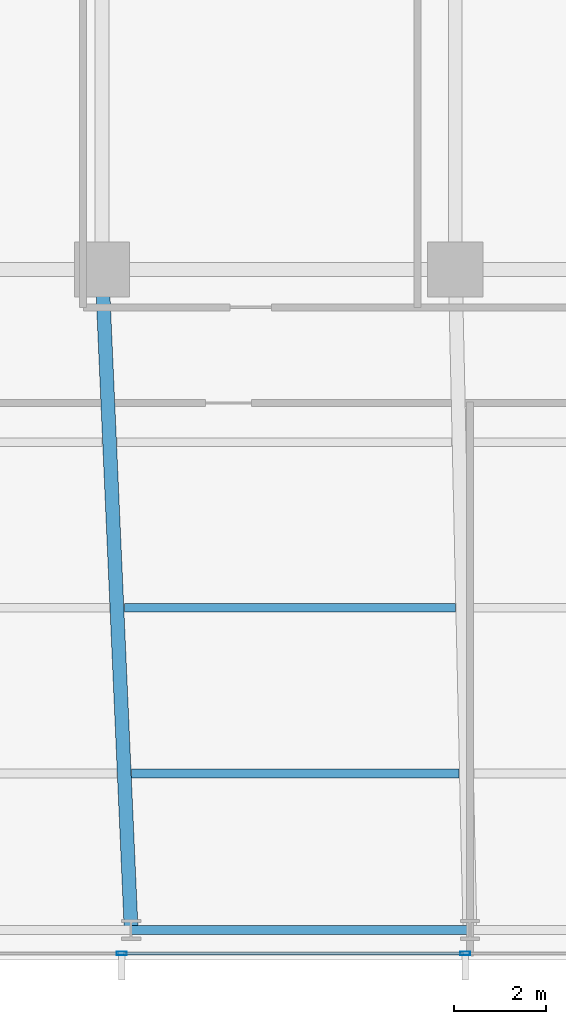
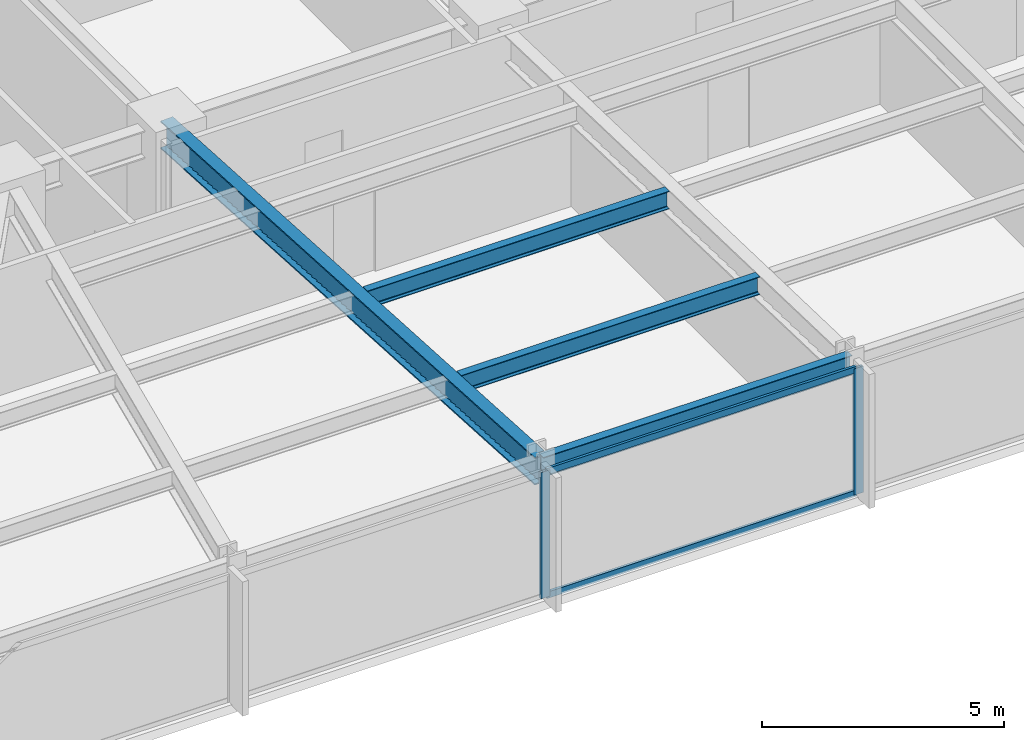
# One storey, part 5 of 33: 4 beams, 4 members, 1 element without a shape of its own.
"""IFC4 building model written with IfcOpenShell, lengths in metres."""

import ifcopenshell
import ifcopenshell.guid

model = None  # the IFC model being written
_history = None  # IfcOwnerHistory: only IFC2X3 demands one
_inside = {}  # id of a spatial element -> (the spatial element, [elements in it])
_under = {}  # id of a project, library or spatial element -> (it, [spatial elements below it])
_declared = {}  # id of a project -> (the project, [libraries it declares])
_typed = {}  # id of a type object -> (the type object, [elements of that type])
_made_of = {}  # id of a material, layer set ... -> (it, [elements and type objects made of it])


def new_model(schema):
    """Start an empty IFC model of exactly this schema.

    Asked for "IFC4X3", IfcOpenShell would pick the latest addendum, in which some entities
    have other attributes; the version numbers below select the first issue.
    IFC2X3 requires an IfcOwnerHistory on every rooted entity: one is made here for all.
    """
    global model, _history
    if schema == "IFC4X3":
        model = ifcopenshell.file(schema_version=(4, 3, 0, 0))
    else:
        model = ifcopenshell.file(schema=schema)
    _inside.clear()
    _under.clear()
    _declared.clear()
    _typed.clear()
    _made_of.clear()
    _history = None
    if model.schema == "IFC2X3":
        org = make("IfcOrganization", Name="unknown")
        user = make(
            "IfcPersonAndOrganization",
            ThePerson=make("IfcPerson", FamilyName="unknown"),
            TheOrganization=org,
        )
        app = make(
            "IfcApplication",
            ApplicationDeveloper=org,
            Version="unknown",
            ApplicationFullName="unknown",
            ApplicationIdentifier="unknown",
        )
        _history = make(
            "IfcOwnerHistory",
            OwningUser=user,
            OwningApplication=app,
            ChangeAction="ADDED",
            CreationDate=0,
        )
    return model


def make(cls, **values):
    """One entity of the class cls with the attributes given. An attribute that is None is left unset."""
    return model.create_entity(
        cls, **{name: value for name, value in values.items() if value is not None}
    )


def rooted(cls, **values):
    """An entity with a GlobalId (a new one), such as an element, a storey or a relation."""
    return make(cls, GlobalId=ifcopenshell.guid.new(), OwnerHistory=_history, **values)


def si_unit(unit_type, name, prefix=None):
    """IfcSIUnit, for example si_unit("LENGTHUNIT", "METRE", prefix="MILLI")."""
    return make("IfcSIUnit", UnitType=unit_type, Prefix=prefix, Name=name)


def assignment(units):
    """IfcUnitAssignment: the units of a project."""
    return None if units is None else make("IfcUnitAssignment", Units=units)


def point(xyz):
    """IfcCartesianPoint."""
    return None if xyz is None else make("IfcCartesianPoint", Coordinates=xyz)


def direction(xyz):
    """IfcDirection."""
    return None if xyz is None else make("IfcDirection", DirectionRatios=xyz)


def frame(location, z_axis=None, x_axis=None):
    """IfcAxis2Placement3D, a coordinate frame: its origin and axes. An axis left out is left unset."""
    return make(
        "IfcAxis2Placement3D",
        Location=point(location),
        Axis=direction(z_axis),
        RefDirection=direction(x_axis),
    )


def frame_2d(location, x_axis=None):
    """IfcAxis2Placement2D, a coordinate frame in the plane: its origin and x axis."""
    return make(
        "IfcAxis2Placement2D", Location=point(location), RefDirection=direction(x_axis)
    )


def origin():
    """The frame at (0, 0, 0) with its axes left unset."""
    return frame((0.0, 0.0, 0.0))


def origin_2d():
    """The frame at (0, 0) in the plane with its x axis left unset."""
    return frame_2d((0.0, 0.0))


def place(relative_to, where):
    """IfcLocalPlacement: puts the frame where relative to a parent placement (None: the world)."""
    return make(
        "IfcLocalPlacement", PlacementRelTo=relative_to, RelativePlacement=where
    )


def context(
    kind, dimensions, precision=None, world=None, true_north=None, identifier=None
):
    """IfcGeometricRepresentationContext, for example the 3D "Model" context."""
    return make(
        "IfcGeometricRepresentationContext",
        ContextIdentifier=identifier,
        ContextType=kind,
        CoordinateSpaceDimension=dimensions,
        Precision=precision,
        WorldCoordinateSystem=world,
        TrueNorth=true_north,
    )


def subcontext(parent, identifier, kind, view, scale=None):
    """IfcGeometricRepresentationSubContext, for example "Body" below "Model"."""
    return make(
        "IfcGeometricRepresentationSubContext",
        ContextIdentifier=identifier,
        ContextType=kind,
        ParentContext=parent,
        TargetScale=scale,
        TargetView=view,
    )


def project(units=None, contexts=None):
    """IfcProject with its units and contexts."""
    return rooted(
        "IfcProject",
        Name="project",
        RepresentationContexts=contexts,
        UnitsInContext=assignment(units),
    )


def spatial(cls, under=None, at=None, **own):
    """A site, building, storey or space (cls), placed at a placement, below another one or the project."""
    s = rooted(cls, ObjectPlacement=at, **own)
    if under is not None:
        _under.setdefault(under.id(), (under, []))[1].append(s)
    return s


def profile(cls, at=None, kind="AREA", **sizes):
    """A parametric profile (cls). Its sizes go by their IFC names, for example OverallWidth=200.0."""
    return make(cls, ProfileType=kind, Position=at, **sizes)


def hollow_rectangle(**sizes):
    """IfcRectangleHollowProfileDef."""
    return profile("IfcRectangleHollowProfileDef", **sizes)


def i_section(**sizes):
    """IfcIShapeProfileDef."""
    return profile("IfcIShapeProfileDef", **sizes)


def extrude(swept, where, along, depth):
    """IfcExtrudedAreaSolid: the profile swept, set in the frame where, extruded along a direction by depth."""
    return make(
        "IfcExtrudedAreaSolid",
        SweptArea=swept,
        Position=where,
        ExtrudedDirection=direction(along),
        Depth=depth,
    )


def shape(context_of_items, identifier, shape_type, items):
    """IfcShapeRepresentation: the items that make up one representation, for example the "Body"."""
    return make(
        "IfcShapeRepresentation",
        ContextOfItems=context_of_items,
        RepresentationIdentifier=identifier,
        RepresentationType=shape_type,
        Items=items,
    )


def material(Name=None, Category=None):
    """IfcMaterial."""
    return make("IfcMaterial", Name=Name, Category=Category)


def material_profile(
    of_material, cross_section, Name=None, Category=None, Priority=None
):
    """IfcMaterialProfile: a cross section and its material."""
    return make(
        "IfcMaterialProfile",
        Name=Name,
        Material=of_material,
        Profile=cross_section,
        Priority=Priority,
        Category=Category,
    )


def profile_set(profiles, Name=None, composite=None):
    """IfcMaterialProfileSet."""
    return make(
        "IfcMaterialProfileSet",
        Name=Name,
        MaterialProfiles=profiles,
        CompositeProfile=composite,
    )


def made_of(thing, what):
    """Note that an element or type object is made of a material, layer set ...; save() writes the relation."""
    if what is not None:
        _made_of.setdefault(what.id(), (what, []))[1].append(thing)
    return thing


def type_object(cls, material=None, **own):
    """A type object (cls), such as IfcWallType, which elements share."""
    return made_of(rooted(cls, **own), material)


def element(
    cls,
    number,
    at=None,
    inside=None,
    cuts=None,
    type_object=None,
    material=None,
    context=None,
    identifier="Body",
    shape_type=None,
    held_by="IfcProductDefinitionShape",
    body=None,
    shapes=None,
    **own,
):
    """One element of the class cls, such as IfcWall. Its Tag is "e" and its number.

    at: its placement. inside: the storey or other place that contains it. cuts: it is an
    opening in that element (IfcRelVoidsElement). A single representation is given by context,
    identifier, shape_type and body (its items); several are given by shapes. held_by: the class
    of the entity that holds the representations. save() writes the other relations.
    """
    e = rooted(cls, Tag="e%d" % number, ObjectPlacement=at, **own)
    if body is not None:
        shapes = [shape(context, identifier, shape_type, body)]
    if shapes is not None:
        e.Representation = make(held_by, Representations=shapes)
    if inside is not None:
        _inside.setdefault(inside.id(), (inside, []))[1].append(e)
    if cuts is not None:
        rooted(
            "IfcRelVoidsElement", RelatingBuildingElement=cuts, RelatedOpeningElement=e
        )
    if type_object is not None:
        _typed.setdefault(type_object.id(), (type_object, []))[1].append(e)
    return made_of(e, material)


def aggregate(whole, parts):
    """IfcRelAggregates: a whole, such as a stair, and the parts it consists of."""
    return rooted("IfcRelAggregates", RelatingObject=whole, RelatedObjects=parts)


def save(model, path):
    """Write the relations noted so far, then the file.

    IfcRelAggregates (storeys below a building ...), IfcRelContainedInSpatialStructure (elements
    in a storey), IfcRelDefinesByType, IfcRelAssociatesMaterial and IfcRelDeclares: one each for
    every whole, place, type object, material and project.
    """
    for whole, parts in _under.values():
        aggregate(whole, parts)
    for where, things in _inside.values():
        rooted(
            "IfcRelContainedInSpatialStructure",
            RelatedElements=things,
            RelatingStructure=where,
        )
    for kind, things in _typed.values():
        rooted("IfcRelDefinesByType", RelatedObjects=things, RelatingType=kind)
    for what, things in _made_of.values():
        rooted("IfcRelAssociatesMaterial", RelatedObjects=things, RelatingMaterial=what)
    for by, libraries in _declared.values():
        rooted("IfcRelDeclares", RelatingContext=by, RelatedDefinitions=libraries)
    model.write(path)


model = new_model("IFC4")

# Units and contexts
model_context = context("Model", 3, precision=1e-05, world=origin(), true_north=direction((0.0, 1.0)))
body_context = subcontext(model_context, "Body", "Model", "MODEL_VIEW")
ifc_project = project(units=[si_unit("LENGTHUNIT", "METRE"), si_unit("AREAUNIT", "SQUARE_METRE"), si_unit("VOLUMEUNIT", "CUBIC_METRE"), si_unit("PLANEANGLEUNIT", "RADIAN"), si_unit("MASSUNIT", "GRAM", prefix="KILO")], contexts=[model_context])

# Site, building, storey
site_placement = place(None, origin())
site = spatial("IfcSite", under=ifc_project, at=site_placement, CompositionType="ELEMENT")
building_placement = place(site_placement, origin())
building = spatial("IfcBuilding", under=site, at=building_placement, Name="Yelkora Congress Tower", CompositionType="ELEMENT")
storey_placement = place(building_placement, frame((0.0, 0.0, 47.39990234375)))
storey = spatial("IfcBuildingStorey", under=building, at=storey_placement, Name="L11", CompositionType="ELEMENT", Elevation=47.39990234375)

# Beams
ifc_material_1 = material(Name="Steel S355J2", Category="steel")
ifc_material_profile_1 = material_profile(ifc_material_1, i_section(OverallWidth=0.300048828125, OverallDepth=0.699951171875, WebThickness=0.01708984375, FlangeThickness=0.031982421875, FilletRadius=0.027099609375, at=origin_2d()), Name="HEB 700")
ifc_profile_set_1 = profile_set([ifc_material_profile_1], Name="Steel S355J2")
beam_type_1 = type_object("IfcBeamType", Name="BM-GIRD-HEB700", PredefinedType="BEAM", material=ifc_profile_set_1)
beam_1_placement = place(storey_placement, frame((23.675048828125, 10.85009765625, 2.830078125), z_axis=(-0.044208738849, 0.999022315771, 0.0), x_axis=(-0.999022315771, -0.044208738849, 0.0)))
element("IfcBeam", 1, at=beam_1_placement, inside=storey, type_object=beam_type_1, Name="L11 Primary Frame Girder S03", PredefinedType="BEAM", context=body_context, shape_type="SweptSolid", body=[
    extrude(i_section(OverallWidth=0.300048828125, OverallDepth=0.699951171875, WebThickness=0.01708984375, FlangeThickness=0.031982421875, FilletRadius=0.027099609375, at=origin_2d()), origin(), (0.0, 0.0, 1.0), 14.364013671875),
])
ifc_material_profile_2 = material_profile(ifc_material_1, i_section(OverallWidth=0.18994140625, OverallDepth=0.449951171875, WebThickness=0.009521484375, FlangeThickness=0.0146484375, FilletRadius=0.02099609375, at=origin_2d()), Name="IPE 450")
ifc_profile_set_2 = profile_set([ifc_material_profile_2], Name="Steel S355J2")
beam_type_2 = type_object("IfcBeamType", Name="BM-JOIST-IPE450", PredefinedType="JOIST", material=ifc_profile_set_2)
beam_2_placement = place(storey_placement, frame((23.6845703125, 14.25, 2.955078125), z_axis=(1.0, 0.0, 0.0), x_axis=(0.0, 1.0, 0.0)))
element("IfcBeam", 2, at=beam_2_placement, inside=storey, type_object=beam_type_2, Name="L11 Composite Floor Joist 3", PredefinedType="JOIST", context=body_context, shape_type="SweptSolid", body=[
    extrude(i_section(OverallWidth=0.18994140625, OverallDepth=0.449951171875, WebThickness=0.009521484375, FlangeThickness=0.0146484375, FilletRadius=0.02099609375, at=origin_2d()), origin(), (0.0, 0.0, 1.0), 7.11767578125),
])
beam_3_placement = place(storey_placement, frame((23.525146484375, 17.85009765625, 2.955078125), z_axis=(1.0, 0.0, 0.0), x_axis=(0.0, 1.0, 0.0)))
element("IfcBeam", 3, at=beam_3_placement, inside=storey, type_object=beam_type_2, Name="L11 Composite Floor Joist 11", PredefinedType="JOIST", context=body_context, shape_type="SweptSolid", body=[
    extrude(i_section(OverallWidth=0.18994140625, OverallDepth=0.449951171875, WebThickness=0.009521484375, FlangeThickness=0.0146484375, FilletRadius=0.02099609375, at=origin_2d()), origin(), (0.0, 0.0, 1.0), 7.197509765625),
])
ifc_material_profile_3 = material_profile(ifc_material_1, i_section(OverallWidth=0.199951171875, OverallDepth=0.5, WebThickness=0.01025390625, FlangeThickness=0.01611328125, FilletRadius=0.02099609375, at=origin_2d()), Name="IPE 500")
ifc_profile_set_3 = profile_set([ifc_material_profile_3], Name="Steel S355J2")
beam_type_3 = type_object("IfcBeamType", Name="BM-SPAN-IPE500", PredefinedType="SPANDREL", material=ifc_profile_set_3)
beam_4_placement = place(storey_placement, frame((23.675048828125, 10.85009765625, 2.93017578125), z_axis=(1.0, 0.0, 0.0), x_axis=(0.0, 1.0, 0.0)))
element("IfcBeam", 4, at=beam_4_placement, inside=storey, type_object=beam_type_3, Name="L11 Perimeter Beam 4", PredefinedType="SPANDREL", context=body_context, shape_type="SweptSolid", body=[
    extrude(i_section(OverallWidth=0.199951171875, OverallDepth=0.5, WebThickness=0.01025390625, FlangeThickness=0.01611328125, FilletRadius=0.02099609375, at=origin_2d()), origin(), (0.0, 0.0, 1.0), 7.362548828125),
])

# Curtain wall, members
ifc_material_2 = material(Name="Anodised aluminium and insulated glass", Category="aluminium")
curtain_wall_type = type_object("IfcCurtainWallType", Name="CW-SYS-B1", PredefinedType="NOTDEFINED", material=ifc_material_2)
curtain_wall_placement = place(storey_placement, origin())
curtain_wall = element("IfcCurtainWall", 5, at=curtain_wall_placement, inside=storey, type_object=curtain_wall_type, Name="L11 Unitised Curtain Wall 20", PredefinedType="NOTDEFINED")
ifc_material_3 = material(Name="Anodised aluminium 6063-T6", Category="aluminium")
ifc_material_profile_4 = material_profile(ifc_material_3, hollow_rectangle(XDim=0.074951171875, YDim=0.219970703125, WallThickness=0.0048828125, at=origin_2d()), Name="ALU 75x220x5")
ifc_profile_set_4 = profile_set([ifc_material_profile_4], Name="Anodised aluminium 6063-T6")
member_type_1 = type_object("IfcMemberType", Name="MEM-ML-B1", PredefinedType="MULLION", material=ifc_profile_set_4)
member_1_placement = place(storey_placement, frame((30.93505859375, 10.340087890625, 0.0), z_axis=(0.0, 0.0, 1.0), x_axis=(0.0, -1.0, 0.0)))
member_1 = element("IfcMember", 6, at=member_1_placement, type_object=member_type_1, Name="CW-B1 mullion 6", PredefinedType="MULLION", context=body_context, shape_type="SweptSolid", body=[
    extrude(hollow_rectangle(XDim=0.074951171875, YDim=0.219970703125, WallThickness=0.0048828125, at=origin_2d()), origin(), (0.0, 0.0, 1.0), 3.18017578125),
])
member_2_placement = place(storey_placement, frame((23.469970703125, 10.340087890625, 0.0), z_axis=(0.0, 0.0, 1.0), x_axis=(0.0, -1.0, 0.0)))
member_2 = element("IfcMember", 7, at=member_2_placement, type_object=member_type_1, Name="CW-B1 mullion 7", PredefinedType="MULLION", context=body_context, shape_type="SweptSolid", body=[
    extrude(hollow_rectangle(XDim=0.074951171875, YDim=0.219970703125, WallThickness=0.0048828125, at=origin_2d()), origin(), (0.0, 0.0, 1.0), 3.18017578125),
])
ifc_material_profile_5 = material_profile(ifc_material_3, hollow_rectangle(XDim=0.06494140625, YDim=0.159912109375, WallThickness=0.00390625, at=origin_2d()), Name="ALU 65x160x4")
ifc_profile_set_5 = profile_set([ifc_material_profile_5], Name="Anodised aluminium 6063-T6")
member_type_2 = type_object("IfcMemberType", Name="MEM-TR-B1", PredefinedType="USERDEFINED", material=ifc_profile_set_5)
member_3_placement = place(storey_placement, frame((30.8974609375, 10.340087890625, 0.03271484375), z_axis=(-1.0, 0.0, 0.0), x_axis=(0.0, -1.0, 0.0)))
member_3 = element("IfcMember", 8, at=member_3_placement, type_object=member_type_2, Name="CW-B1 transom 6.1", ObjectType="TRANSOM", PredefinedType="USERDEFINED", context=body_context, shape_type="SweptSolid", body=[
    extrude(hollow_rectangle(XDim=0.06494140625, YDim=0.159912109375, WallThickness=0.00390625, at=origin_2d()), origin(), (0.0, 0.0, 1.0), 7.389892578125),
])
member_4_placement = place(storey_placement, frame((30.8974609375, 10.340087890625, 3.147705078125), z_axis=(-1.0, 0.0, 0.0), x_axis=(0.0, -1.0, 0.0)))
member_4 = element("IfcMember", 9, at=member_4_placement, type_object=member_type_2, Name="CW-B1 transom 6.2", ObjectType="TRANSOM", PredefinedType="USERDEFINED", context=body_context, shape_type="SweptSolid", body=[
    extrude(hollow_rectangle(XDim=0.06494140625, YDim=0.159912109375, WallThickness=0.00390625, at=origin_2d()), origin(), (0.0, 0.0, 1.0), 7.389892578125),
])
aggregate(curtain_wall, [member_1, member_2, member_3, member_4])

save(model, "model.ifc")
